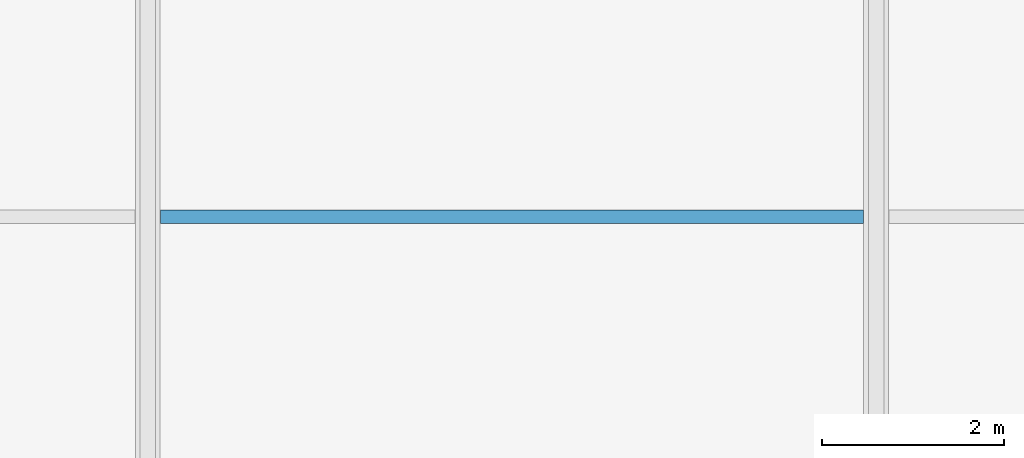
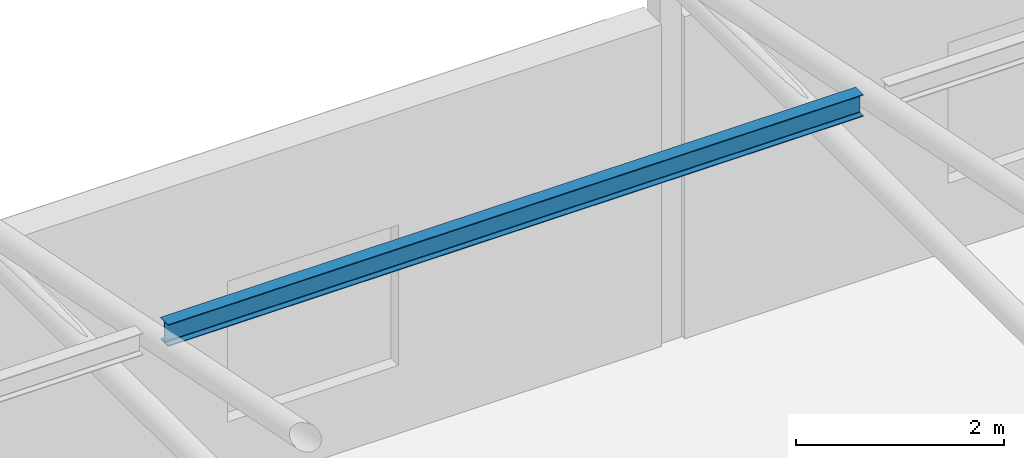
# One storey, part 29 of 117: 1 member.
"""IFC4 building model written with IfcOpenShell, lengths in metres."""

import ifcopenshell
import ifcopenshell.guid

model = None  # the IFC model being written
_history = None  # IfcOwnerHistory: only IFC2X3 demands one
_inside = {}  # id of a spatial element -> (the spatial element, [elements in it])
_under = {}  # id of a project, library or spatial element -> (it, [spatial elements below it])
_declared = {}  # id of a project -> (the project, [libraries it declares])
_typed = {}  # id of a type object -> (the type object, [elements of that type])
_made_of = {}  # id of a material, layer set ... -> (it, [elements and type objects made of it])


def new_model(schema):
    """Start an empty IFC model of exactly this schema.

    Asked for "IFC4X3", IfcOpenShell would pick the latest addendum, in which some entities
    have other attributes; the version numbers below select the first issue.
    IFC2X3 requires an IfcOwnerHistory on every rooted entity: one is made here for all.
    """
    global model, _history
    if schema == "IFC4X3":
        model = ifcopenshell.file(schema_version=(4, 3, 0, 0))
    else:
        model = ifcopenshell.file(schema=schema)
    _inside.clear()
    _under.clear()
    _declared.clear()
    _typed.clear()
    _made_of.clear()
    _history = None
    if model.schema == "IFC2X3":
        org = make("IfcOrganization", Name="unknown")
        user = make(
            "IfcPersonAndOrganization",
            ThePerson=make("IfcPerson", FamilyName="unknown"),
            TheOrganization=org,
        )
        app = make(
            "IfcApplication",
            ApplicationDeveloper=org,
            Version="unknown",
            ApplicationFullName="unknown",
            ApplicationIdentifier="unknown",
        )
        _history = make(
            "IfcOwnerHistory",
            OwningUser=user,
            OwningApplication=app,
            ChangeAction="ADDED",
            CreationDate=0,
        )
    return model


def make(cls, **values):
    """One entity of the class cls with the attributes given. An attribute that is None is left unset."""
    return model.create_entity(
        cls, **{name: value for name, value in values.items() if value is not None}
    )


def rooted(cls, **values):
    """An entity with a GlobalId (a new one), such as an element, a storey or a relation."""
    return make(cls, GlobalId=ifcopenshell.guid.new(), OwnerHistory=_history, **values)


def si_unit(unit_type, name, prefix=None):
    """IfcSIUnit, for example si_unit("LENGTHUNIT", "METRE", prefix="MILLI")."""
    return make("IfcSIUnit", UnitType=unit_type, Prefix=prefix, Name=name)


def assignment(units):
    """IfcUnitAssignment: the units of a project."""
    return None if units is None else make("IfcUnitAssignment", Units=units)


def point(xyz):
    """IfcCartesianPoint."""
    return None if xyz is None else make("IfcCartesianPoint", Coordinates=xyz)


def direction(xyz):
    """IfcDirection."""
    return None if xyz is None else make("IfcDirection", DirectionRatios=xyz)


def frame(location, z_axis=None, x_axis=None):
    """IfcAxis2Placement3D, a coordinate frame: its origin and axes. An axis left out is left unset."""
    return make(
        "IfcAxis2Placement3D",
        Location=point(location),
        Axis=direction(z_axis),
        RefDirection=direction(x_axis),
    )


def frame_2d(location, x_axis=None):
    """IfcAxis2Placement2D, a coordinate frame in the plane: its origin and x axis."""
    return make(
        "IfcAxis2Placement2D", Location=point(location), RefDirection=direction(x_axis)
    )


def origin():
    """The frame at (0, 0, 0) with its axes left unset."""
    return frame((0.0, 0.0, 0.0))


def origin_2d():
    """The frame at (0, 0) in the plane with its x axis left unset."""
    return frame_2d((0.0, 0.0))


def place(relative_to, where):
    """IfcLocalPlacement: puts the frame where relative to a parent placement (None: the world)."""
    return make(
        "IfcLocalPlacement", PlacementRelTo=relative_to, RelativePlacement=where
    )


def context(
    kind, dimensions, precision=None, world=None, true_north=None, identifier=None
):
    """IfcGeometricRepresentationContext, for example the 3D "Model" context."""
    return make(
        "IfcGeometricRepresentationContext",
        ContextIdentifier=identifier,
        ContextType=kind,
        CoordinateSpaceDimension=dimensions,
        Precision=precision,
        WorldCoordinateSystem=world,
        TrueNorth=true_north,
    )


def subcontext(parent, identifier, kind, view, scale=None):
    """IfcGeometricRepresentationSubContext, for example "Body" below "Model"."""
    return make(
        "IfcGeometricRepresentationSubContext",
        ContextIdentifier=identifier,
        ContextType=kind,
        ParentContext=parent,
        TargetScale=scale,
        TargetView=view,
    )


def project(units=None, contexts=None):
    """IfcProject with its units and contexts."""
    return rooted(
        "IfcProject",
        Name="project",
        RepresentationContexts=contexts,
        UnitsInContext=assignment(units),
    )


def spatial(cls, under=None, at=None, **own):
    """A site, building, storey or space (cls), placed at a placement, below another one or the project."""
    s = rooted(cls, ObjectPlacement=at, **own)
    if under is not None:
        _under.setdefault(under.id(), (under, []))[1].append(s)
    return s


def profile(cls, at=None, kind="AREA", **sizes):
    """A parametric profile (cls). Its sizes go by their IFC names, for example OverallWidth=200.0."""
    return make(cls, ProfileType=kind, Position=at, **sizes)


def i_section(**sizes):
    """IfcIShapeProfileDef."""
    return profile("IfcIShapeProfileDef", **sizes)


def extrude(swept, where, along, depth):
    """IfcExtrudedAreaSolid: the profile swept, set in the frame where, extruded along a direction by depth."""
    return make(
        "IfcExtrudedAreaSolid",
        SweptArea=swept,
        Position=where,
        ExtrudedDirection=direction(along),
        Depth=depth,
    )


def shape(context_of_items, identifier, shape_type, items):
    """IfcShapeRepresentation: the items that make up one representation, for example the "Body"."""
    return make(
        "IfcShapeRepresentation",
        ContextOfItems=context_of_items,
        RepresentationIdentifier=identifier,
        RepresentationType=shape_type,
        Items=items,
    )


def material(Name=None, Category=None):
    """IfcMaterial."""
    return make("IfcMaterial", Name=Name, Category=Category)


def material_profile(
    of_material, cross_section, Name=None, Category=None, Priority=None
):
    """IfcMaterialProfile: a cross section and its material."""
    return make(
        "IfcMaterialProfile",
        Name=Name,
        Material=of_material,
        Profile=cross_section,
        Priority=Priority,
        Category=Category,
    )


def profile_set(profiles, Name=None, composite=None):
    """IfcMaterialProfileSet."""
    return make(
        "IfcMaterialProfileSet",
        Name=Name,
        MaterialProfiles=profiles,
        CompositeProfile=composite,
    )


def made_of(thing, what):
    """Note that an element or type object is made of a material, layer set ...; save() writes the relation."""
    if what is not None:
        _made_of.setdefault(what.id(), (what, []))[1].append(thing)
    return thing


def type_object(cls, material=None, **own):
    """A type object (cls), such as IfcWallType, which elements share."""
    return made_of(rooted(cls, **own), material)


def element(
    cls,
    number,
    at=None,
    inside=None,
    cuts=None,
    type_object=None,
    material=None,
    context=None,
    identifier="Body",
    shape_type=None,
    held_by="IfcProductDefinitionShape",
    body=None,
    shapes=None,
    **own,
):
    """One element of the class cls, such as IfcWall. Its Tag is "e" and its number.

    at: its placement. inside: the storey or other place that contains it. cuts: it is an
    opening in that element (IfcRelVoidsElement). A single representation is given by context,
    identifier, shape_type and body (its items); several are given by shapes. held_by: the class
    of the entity that holds the representations. save() writes the other relations.
    """
    e = rooted(cls, Tag="e%d" % number, ObjectPlacement=at, **own)
    if body is not None:
        shapes = [shape(context, identifier, shape_type, body)]
    if shapes is not None:
        e.Representation = make(held_by, Representations=shapes)
    if inside is not None:
        _inside.setdefault(inside.id(), (inside, []))[1].append(e)
    if cuts is not None:
        rooted(
            "IfcRelVoidsElement", RelatingBuildingElement=cuts, RelatedOpeningElement=e
        )
    if type_object is not None:
        _typed.setdefault(type_object.id(), (type_object, []))[1].append(e)
    return made_of(e, material)


def aggregate(whole, parts):
    """IfcRelAggregates: a whole, such as a stair, and the parts it consists of."""
    return rooted("IfcRelAggregates", RelatingObject=whole, RelatedObjects=parts)


def save(model, path):
    """Write the relations noted so far, then the file.

    IfcRelAggregates (storeys below a building ...), IfcRelContainedInSpatialStructure (elements
    in a storey), IfcRelDefinesByType, IfcRelAssociatesMaterial and IfcRelDeclares: one each for
    every whole, place, type object, material and project.
    """
    for whole, parts in _under.values():
        aggregate(whole, parts)
    for where, things in _inside.values():
        rooted(
            "IfcRelContainedInSpatialStructure",
            RelatedElements=things,
            RelatingStructure=where,
        )
    for kind, things in _typed.values():
        rooted("IfcRelDefinesByType", RelatedObjects=things, RelatingType=kind)
    for what, things in _made_of.values():
        rooted("IfcRelAssociatesMaterial", RelatedObjects=things, RelatingMaterial=what)
    for by, libraries in _declared.values():
        rooted("IfcRelDeclares", RelatingContext=by, RelatedDefinitions=libraries)
    model.write(path)


model = new_model("IFC4")

# Units and contexts
model_context = context("Model", 3, precision=1e-05, world=origin(), true_north=direction((0.0, 1.0)))
body_context = subcontext(model_context, "Body", "Model", "MODEL_VIEW")
ifc_project = project(units=[si_unit("LENGTHUNIT", "METRE"), si_unit("AREAUNIT", "SQUARE_METRE"), si_unit("VOLUMEUNIT", "CUBIC_METRE"), si_unit("PLANEANGLEUNIT", "RADIAN"), si_unit("MASSUNIT", "GRAM", prefix="KILO")], contexts=[model_context])

# Site, building, storey
site_placement = place(None, origin())
site = spatial("IfcSite", under=ifc_project, at=site_placement, CompositionType="ELEMENT")
building_placement = place(site_placement, origin())
building = spatial("IfcBuilding", under=site, at=building_placement, Name="Solmirada Galleria", CompositionType="ELEMENT")
storey_placement = place(building_placement, frame((0.0, 0.0, 5.60009765625)))
storey = spatial("IfcBuildingStorey", under=building, at=storey_placement, Name="L01", CompositionType="ELEMENT", Elevation=5.60009765625)

# Member
ifc_material = material(Name="Steel S355 / ASTM A992 Grade 50", Category="steel")
ifc_material_profile = material_profile(ifc_material, i_section(OverallWidth=0.14599609375, OverallDepth=0.258056640625, WebThickness=0.006103515625, FlangeThickness=0.009033203125, FilletRadius=0.009033203125, at=origin_2d()), Name="W10X22")
ifc_profile_set = profile_set([ifc_material_profile], Name="Steel S355 / ASTM A992 Grade 50")
member_type = type_object("IfcMemberType", Name="MEM-ROOF-PURL", PredefinedType="PURLIN", material=ifc_profile_set)
member_placement = place(storey_placement, frame((48.139892578125, 36.0, 5.199951171875), z_axis=(1.0, 0.0, 0.0), x_axis=(0.0, 1.0, 0.0)))
element("IfcMember", 1, at=member_placement, inside=storey, type_object=member_type, Name="Food Hall roof purlin Y=36", PredefinedType="PURLIN", context=body_context, shape_type="SweptSolid", body=[
    extrude(i_section(OverallWidth=0.14599609375, OverallDepth=0.258056640625, WebThickness=0.006103515625, FlangeThickness=0.009033203125, FilletRadius=0.009033203125, at=origin_2d()), origin(), (0.0, 0.0, 1.0), 7.72021484375),
])

save(model, "model.ifc")
